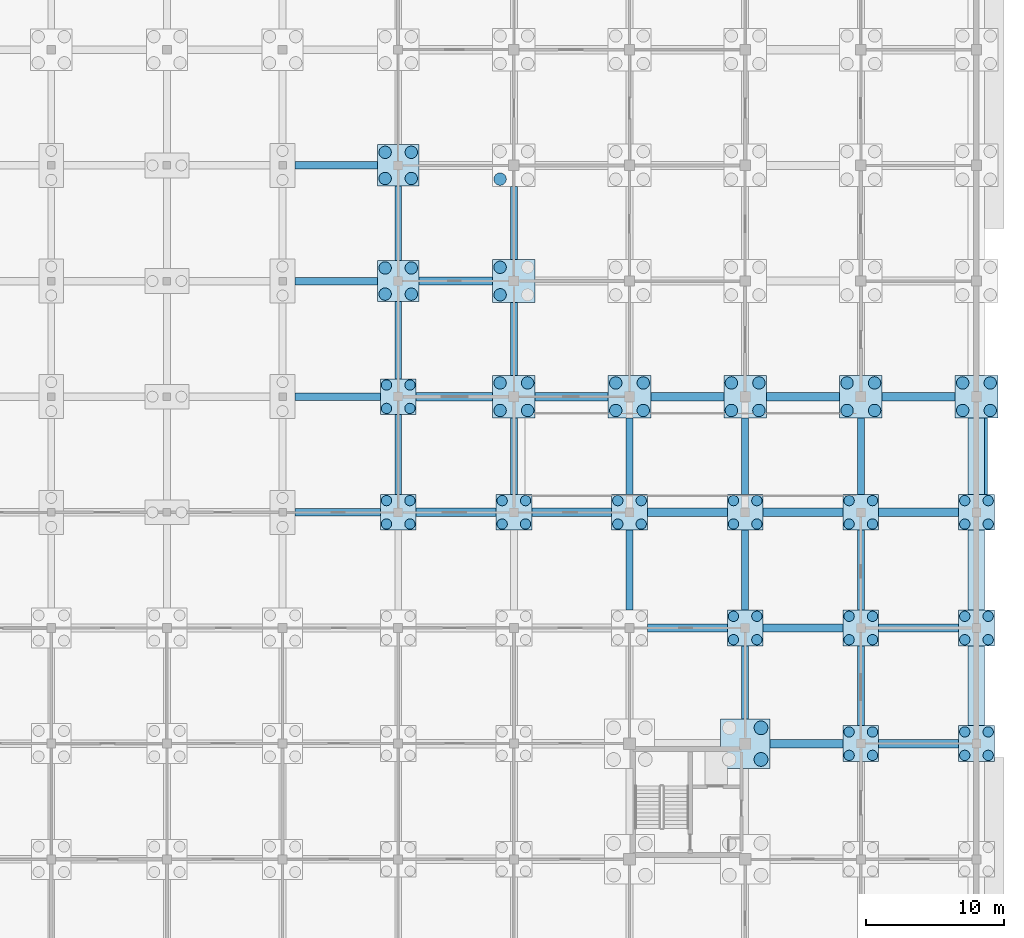
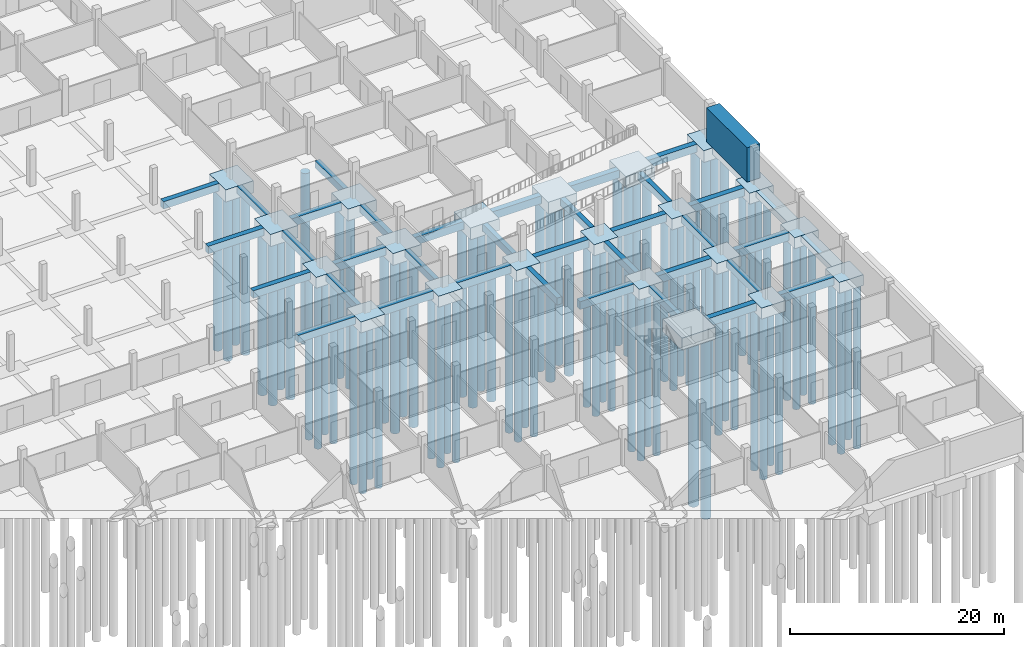
# One storey, part 13 of 43: 81 piles, 59 footings.
"""IFC4 building model written with IfcOpenShell, lengths in metres."""

from ifc_helpers import new_model, si_unit, direction, frame, origin, origin_2d, place, context, subcontext, project, spatial, rectangle, circle, extrude, material, material_profile, profile_set, type_object, element, save


model = new_model("IFC4")

# Units and contexts
model_context = context("Model", 3, precision=1e-05, world=origin(), true_north=direction((0.0, 1.0)))
body_context = subcontext(model_context, "Body", "Model", "MODEL_VIEW")
ifc_project = project(units=[si_unit("LENGTHUNIT", "METRE"), si_unit("AREAUNIT", "SQUARE_METRE"), si_unit("VOLUMEUNIT", "CUBIC_METRE"), si_unit("PLANEANGLEUNIT", "RADIAN"), si_unit("MASSUNIT", "GRAM", prefix="KILO")], contexts=[model_context])

# Site, building, storey
site_placement = place(None, origin())
site = spatial("IfcSite", under=ifc_project, at=site_placement, CompositionType="ELEMENT")
building_placement = place(site_placement, origin())
building = spatial("IfcBuilding", under=site, at=building_placement, Name="Varnapada Polytechnic", CompositionType="ELEMENT")
storey_placement = place(building_placement, frame((0.0, 0.0, -4.199951171875)))
storey = spatial("IfcBuildingStorey", under=building, at=storey_placement, Name="B1", CompositionType="ELEMENT", Elevation=-4.199951171875)

# Piles
ifc_material = material(Name="Concrete C40/50", Category="concrete")
ifc_material_profile_1 = material_profile(ifc_material, circle(Radius=0.5, at=origin_2d()), Name="BP 1000")
ifc_profile_set_1 = profile_set([ifc_material_profile_1], Name="Concrete C40/50")
pile_type_1 = type_object("IfcPileType", Name="Bored Pile BP 1000", PredefinedType="BORED", material=ifc_profile_set_1)
for number, where, z_axis, x_axis, name in (
    (1, (160.75, 32.449951171875, -1.300048828125), (0.0, 0.0, -1.0), (1.0, 0.0, 0.0), "Bored pile P-01 under CAP-19-04 (2)"),
    (2, (160.75, 34.75, -1.300048828125), (0.0, 0.0, -1.0), (1.0, 0.0, 0.0), "Bored pile P-01 under CAP-19-04 (4)"),
):
    element("IfcPile", number, at=place(storey_placement, frame(where, z_axis=z_axis, x_axis=x_axis)), inside=storey, type_object=pile_type_1, Name=name, PredefinedType="BORED", context=body_context, shape_type="SweptSolid", body=[
        extrude(circle(Radius=0.5, at=origin_2d()), origin(), (0.0, 0.0, 1.0), 20.5),
    ])
ifc_material_profile_2 = material_profile(ifc_material, circle(Radius=0.375, at=origin_2d()), Name="BP 750")
ifc_profile_set_2 = profile_set([ifc_material_profile_2], Name="Concrete C40/50")
pile_type_2 = type_object("IfcPileType", Name="Bored Pile BP 750", PredefinedType="BORED", material=ifc_profile_set_2)
for number, where, z_axis, x_axis, name in (
    (3, (133.550048828125, 49.550048828125, -1.150146484375), (0.0, 0.0, -1.0), (1.0, 0.0, 0.0), "Bored pile P-05 under CAP-16-06 (1)"),
    (4, (135.25, 49.550048828125, -1.150146484375), (0.0, 0.0, -1.0), (1.0, 0.0, 0.0), "Bored pile P-05 under CAP-16-06 (2)"),
    (5, (133.550048828125, 51.25, -1.150146484375), (0.0, 0.0, -1.0), (1.0, 0.0, 0.0), "Bored pile P-05 under CAP-16-06 (3)"),
    (6, (135.25, 51.25, -1.150146484375), (0.0, 0.0, -1.0), (1.0, 0.0, 0.0), "Bored pile P-05 under CAP-16-06 (4)"),
    (7, (133.550048828125, 57.949951171875, -1.150146484375), (0.0, 0.0, -1.0), (1.0, 0.0, 0.0), "Bored pile P-05 under CAP-16-07 (1)"),
    (8, (135.25, 57.949951171875, -1.150146484375), (0.0, 0.0, -1.0), (1.0, 0.0, 0.0), "Bored pile P-05 under CAP-16-07 (2)"),
    (9, (133.550048828125, 59.64990234375, -1.150146484375), (0.0, 0.0, -1.0), (1.0, 0.0, 0.0), "Bored pile P-05 under CAP-16-07 (3)"),
    (10, (135.25, 59.64990234375, -1.150146484375), (0.0, 0.0, -1.0), (1.0, 0.0, 0.0), "Bored pile P-05 under CAP-16-07 (4)"),
    (11, (141.949951171875, 49.550048828125, -1.150146484375), (0.0, 0.0, -1.0), (1.0, 0.0, 0.0), "Bored pile P-05 under CAP-17-06 (1)"),
    (12, (143.64990234375, 49.550048828125, -1.150146484375), (0.0, 0.0, -1.0), (1.0, 0.0, 0.0), "Bored pile P-05 under CAP-17-06 (2)"),
    (13, (141.949951171875, 51.25, -1.150146484375), (0.0, 0.0, -1.0), (1.0, 0.0, 0.0), "Bored pile P-05 under CAP-17-06 (3)"),
    (14, (143.64990234375, 51.25, -1.150146484375), (0.0, 0.0, -1.0), (1.0, 0.0, 0.0), "Bored pile P-05 under CAP-17-06 (4)"),
    (15, (150.35009765625, 49.550048828125, -1.150146484375), (0.0, 0.0, -1.0), (1.0, 0.0, 0.0), "Bored pile P-05 under CAP-18-06 (1)"),
    (16, (152.050048828125, 49.550048828125, -1.150146484375), (0.0, 0.0, -1.0), (1.0, 0.0, 0.0), "Bored pile P-05 under CAP-18-06 (2)"),
    (17, (150.35009765625, 51.25, -1.150146484375), (0.0, 0.0, -1.0), (1.0, 0.0, 0.0), "Bored pile P-05 under CAP-18-06 (3)"),
    (18, (152.050048828125, 51.25, -1.150146484375), (0.0, 0.0, -1.0), (1.0, 0.0, 0.0), "Bored pile P-05 under CAP-18-06 (4)"),
    (19, (158.75, 41.14990234375, -1.150146484375), (0.0, 0.0, -1.0), (1.0, 0.0, 0.0), "Bored pile P-05 under CAP-19-05 (1)"),
    (20, (160.449951171875, 41.14990234375, -1.150146484375), (0.0, 0.0, -1.0), (1.0, 0.0, 0.0), "Bored pile P-05 under CAP-19-05 (2)"),
    (21, (158.75, 42.85009765625, -1.150146484375), (0.0, 0.0, -1.0), (1.0, 0.0, 0.0), "Bored pile P-05 under CAP-19-05 (3)"),
    (22, (160.449951171875, 42.85009765625, -1.150146484375), (0.0, 0.0, -1.0), (1.0, 0.0, 0.0), "Bored pile P-05 under CAP-19-05 (4)"),
    (23, (158.75, 49.550048828125, -1.150146484375), (0.0, 0.0, -1.0), (1.0, 0.0, 0.0), "Bored pile P-05 under CAP-19-06 (1)"),
    (24, (160.449951171875, 49.550048828125, -1.150146484375), (0.0, 0.0, -1.0), (1.0, 0.0, 0.0), "Bored pile P-05 under CAP-19-06 (2)"),
    (25, (158.75, 51.25, -1.150146484375), (0.0, 0.0, -1.0), (1.0, 0.0, 0.0), "Bored pile P-05 under CAP-19-06 (3)"),
    (26, (160.449951171875, 51.25, -1.150146484375), (0.0, 0.0, -1.0), (1.0, 0.0, 0.0), "Bored pile P-05 under CAP-19-06 (4)"),
    (27, (167.14990234375, 32.75, -1.150146484375), (0.0, 0.0, -1.0), (1.0, 0.0, 0.0), "Bored pile P-05 under CAP-20-04 (1)"),
    (28, (168.85009765625, 32.75, -1.150146484375), (0.0, 0.0, -1.0), (1.0, 0.0, 0.0), "Bored pile P-05 under CAP-20-04 (2)"),
    (29, (167.14990234375, 34.449951171875, -1.150146484375), (0.0, 0.0, -1.0), (1.0, 0.0, 0.0), "Bored pile P-05 under CAP-20-04 (3)"),
    (30, (168.85009765625, 34.449951171875, -1.150146484375), (0.0, 0.0, -1.0), (1.0, 0.0, 0.0), "Bored pile P-05 under CAP-20-04 (4)"),
    (31, (167.14990234375, 41.14990234375, -1.150146484375), (0.0, 0.0, -1.0), (1.0, 0.0, 0.0), "Bored pile P-05 under CAP-20-05 (1)"),
    (32, (168.85009765625, 41.14990234375, -1.150146484375), (0.0, 0.0, -1.0), (1.0, 0.0, 0.0), "Bored pile P-05 under CAP-20-05 (2)"),
    (33, (167.14990234375, 42.85009765625, -1.150146484375), (0.0, 0.0, -1.0), (1.0, 0.0, 0.0), "Bored pile P-05 under CAP-20-05 (3)"),
    (34, (168.85009765625, 42.85009765625, -1.150146484375), (0.0, 0.0, -1.0), (1.0, 0.0, 0.0), "Bored pile P-05 under CAP-20-05 (4)"),
    (35, (167.14990234375, 49.550048828125, -1.150146484375), (0.0, 0.0, -1.0), (1.0, 0.0, 0.0), "Bored pile P-05 under CAP-20-06 (1)"),
    (36, (168.85009765625, 49.550048828125, -1.150146484375), (0.0, 0.0, -1.0), (1.0, 0.0, 0.0), "Bored pile P-05 under CAP-20-06 (2)"),
    (37, (167.14990234375, 51.25, -1.150146484375), (0.0, 0.0, -1.0), (1.0, 0.0, 0.0), "Bored pile P-05 under CAP-20-06 (3)"),
    (38, (168.85009765625, 51.25, -1.150146484375), (0.0, 0.0, -1.0), (1.0, 0.0, 0.0), "Bored pile P-05 under CAP-20-06 (4)"),
    (39, (175.550048828125, 32.75, -1.150146484375), (0.0, 0.0, -1.0), (1.0, 0.0, 0.0), "Bored pile P-05 under CAP-21-04 (1)"),
    (40, (177.25, 32.75, -1.150146484375), (0.0, 0.0, -1.0), (1.0, 0.0, 0.0), "Bored pile P-05 under CAP-21-04 (2)"),
    (41, (175.550048828125, 34.449951171875, -1.150146484375), (0.0, 0.0, -1.0), (1.0, 0.0, 0.0), "Bored pile P-05 under CAP-21-04 (3)"),
    (42, (177.25, 34.449951171875, -1.150146484375), (0.0, 0.0, -1.0), (1.0, 0.0, 0.0), "Bored pile P-05 under CAP-21-04 (4)"),
    (43, (175.550048828125, 41.14990234375, -1.150146484375), (0.0, 0.0, -1.0), (1.0, 0.0, 0.0), "Bored pile P-05 under CAP-21-05 (1)"),
    (44, (177.25, 41.14990234375, -1.150146484375), (0.0, 0.0, -1.0), (1.0, 0.0, 0.0), "Bored pile P-05 under CAP-21-05 (2)"),
    (45, (175.550048828125, 42.85009765625, -1.150146484375), (0.0, 0.0, -1.0), (1.0, 0.0, 0.0), "Bored pile P-05 under CAP-21-05 (3)"),
    (46, (177.25, 42.85009765625, -1.150146484375), (0.0, 0.0, -1.0), (1.0, 0.0, 0.0), "Bored pile P-05 under CAP-21-05 (4)"),
    (47, (175.550048828125, 49.550048828125, -1.150146484375), (0.0, 0.0, -1.0), (1.0, 0.0, 0.0), "Bored pile P-05 under CAP-21-06 (1)"),
    (48, (177.25, 49.550048828125, -1.150146484375), (0.0, 0.0, -1.0), (1.0, 0.0, 0.0), "Bored pile P-05 under CAP-21-06 (2)"),
    (49, (175.550048828125, 51.25, -1.150146484375), (0.0, 0.0, -1.0), (1.0, 0.0, 0.0), "Bored pile P-05 under CAP-21-06 (3)"),
    (50, (177.25, 51.25, -1.150146484375), (0.0, 0.0, -1.0), (1.0, 0.0, 0.0), "Bored pile P-05 under CAP-21-06 (4)"),
):
    element("IfcPile", number, at=place(storey_placement, frame(where, z_axis=z_axis, x_axis=x_axis)), inside=storey, type_object=pile_type_2, Name=name, PredefinedType="BORED", context=body_context, shape_type="SweptSolid", body=[
        extrude(circle(Radius=0.375, at=origin_2d()), origin(), (0.0, 0.0, 1.0), 18.64990234375),
    ])
ifc_material_profile_3 = material_profile(ifc_material, circle(Radius=0.449951171875, at=origin_2d()), Name="BP 900")
ifc_profile_set_3 = profile_set([ifc_material_profile_3], Name="Concrete C40/50")
pile_type_3 = type_object("IfcPileType", Name="Bored Pile BP 900", PredefinedType="BORED", material=ifc_profile_set_3)
for number, where, z_axis, x_axis, name in (
    (51, (133.449951171875, 66.25, -1.300048828125), (0.0, 0.0, -1.0), (1.0, 0.0, 0.0), "Bored pile P-02 under CAP-16-08 (1)"),
    (52, (135.35009765625, 66.25, -1.300048828125), (0.0, 0.0, -1.0), (1.0, 0.0, 0.0), "Bored pile P-02 under CAP-16-08 (2)"),
    (53, (133.449951171875, 68.14990234375, -1.300048828125), (0.0, 0.0, -1.0), (1.0, 0.0, 0.0), "Bored pile P-02 under CAP-16-08 (3)"),
    (54, (135.35009765625, 68.14990234375, -1.300048828125), (0.0, 0.0, -1.0), (1.0, 0.0, 0.0), "Bored pile P-02 under CAP-16-08 (4)"),
    (55, (133.449951171875, 74.64990234375, -1.300048828125), (0.0, 0.0, -1.0), (1.0, 0.0, 0.0), "Bored pile P-02 under CAP-16-09 (1)"),
    (56, (135.35009765625, 74.64990234375, -1.300048828125), (0.0, 0.0, -1.0), (1.0, 0.0, 0.0), "Bored pile P-02 under CAP-16-09 (2)"),
    (57, (133.449951171875, 76.550048828125, -1.300048828125), (0.0, 0.0, -1.0), (1.0, 0.0, 0.0), "Bored pile P-02 under CAP-16-09 (3)"),
    (58, (135.35009765625, 76.550048828125, -1.300048828125), (0.0, 0.0, -1.0), (1.0, 0.0, 0.0), "Bored pile P-02 under CAP-16-09 (4)"),
):
    element("IfcPile", number, at=place(storey_placement, frame(where, z_axis=z_axis, x_axis=x_axis)), inside=storey, type_object=pile_type_3, Name=name, PredefinedType="BORED", context=body_context, shape_type="SweptSolid", body=[
        extrude(circle(Radius=0.449951171875, at=origin_2d()), origin(), (0.0, 0.0, 1.0), 18.5),
    ])
for number, where, z_axis, x_axis, name in (
    (59, (141.800048828125, 57.800048828125, -1.25), (0.0, 0.0, -1.0), (1.0, 0.0, 0.0), "Bored pile P-02 under CAP-17-07 (1)"),
    (60, (143.800048828125, 57.800048828125, -1.25), (0.0, 0.0, -1.0), (1.0, 0.0, 0.0), "Bored pile P-02 under CAP-17-07 (2)"),
    (61, (141.800048828125, 59.800048828125, -1.25), (0.0, 0.0, -1.0), (1.0, 0.0, 0.0), "Bored pile P-02 under CAP-17-07 (3)"),
    (62, (143.800048828125, 59.800048828125, -1.25), (0.0, 0.0, -1.0), (1.0, 0.0, 0.0), "Bored pile P-02 under CAP-17-07 (4)"),
    (63, (141.800048828125, 66.199951171875, -1.25), (0.0, 0.0, -1.0), (1.0, 0.0, 0.0), "Bored pile P-02 under CAP-17-08 (1)"),
    (64, (141.800048828125, 68.199951171875, -1.25), (0.0, 0.0, -1.0), (1.0, 0.0, 0.0), "Bored pile P-02 under CAP-17-08 (3)"),
    (65, (141.800048828125, 74.60009765625, -1.25), (0.0, 0.0, -1.0), (1.0, 0.0, 0.0), "Bored pile P-02 under CAP-17-09 (1)"),
    (66, (150.199951171875, 57.800048828125, -1.25), (0.0, 0.0, -1.0), (1.0, 0.0, 0.0), "Bored pile P-02 under CAP-18-07 (1)"),
    (67, (152.199951171875, 57.800048828125, -1.25), (0.0, 0.0, -1.0), (1.0, 0.0, 0.0), "Bored pile P-02 under CAP-18-07 (2)"),
    (68, (150.199951171875, 59.800048828125, -1.25), (0.0, 0.0, -1.0), (1.0, 0.0, 0.0), "Bored pile P-02 under CAP-18-07 (3)"),
    (69, (152.199951171875, 59.800048828125, -1.25), (0.0, 0.0, -1.0), (1.0, 0.0, 0.0), "Bored pile P-02 under CAP-18-07 (4)"),
    (70, (158.60009765625, 57.800048828125, -1.25), (0.0, 0.0, -1.0), (1.0, 0.0, 0.0), "Bored pile P-02 under CAP-19-07 (1)"),
    (71, (160.60009765625, 57.800048828125, -1.25), (0.0, 0.0, -1.0), (1.0, 0.0, 0.0), "Bored pile P-02 under CAP-19-07 (2)"),
    (72, (158.60009765625, 59.800048828125, -1.25), (0.0, 0.0, -1.0), (1.0, 0.0, 0.0), "Bored pile P-02 under CAP-19-07 (3)"),
    (73, (160.60009765625, 59.800048828125, -1.25), (0.0, 0.0, -1.0), (1.0, 0.0, 0.0), "Bored pile P-02 under CAP-19-07 (4)"),
    (74, (167.0, 57.800048828125, -1.25), (0.0, 0.0, -1.0), (1.0, 0.0, 0.0), "Bored pile P-02 under CAP-20-07 (1)"),
    (75, (169.0, 57.800048828125, -1.25), (0.0, 0.0, -1.0), (1.0, 0.0, 0.0), "Bored pile P-02 under CAP-20-07 (2)"),
    (76, (167.0, 59.800048828125, -1.25), (0.0, 0.0, -1.0), (1.0, 0.0, 0.0), "Bored pile P-02 under CAP-20-07 (3)"),
    (77, (169.0, 59.800048828125, -1.25), (0.0, 0.0, -1.0), (1.0, 0.0, 0.0), "Bored pile P-02 under CAP-20-07 (4)"),
    (78, (175.39990234375, 57.800048828125, -1.25), (0.0, 0.0, -1.0), (1.0, 0.0, 0.0), "Bored pile P-02 under CAP-21-07 (1)"),
    (79, (177.39990234375, 57.800048828125, -1.25), (0.0, 0.0, -1.0), (1.0, 0.0, 0.0), "Bored pile P-02 under CAP-21-07 (2)"),
    (80, (175.39990234375, 59.800048828125, -1.25), (0.0, 0.0, -1.0), (1.0, 0.0, 0.0), "Bored pile P-02 under CAP-21-07 (3)"),
    (81, (177.39990234375, 59.800048828125, -1.25), (0.0, 0.0, -1.0), (1.0, 0.0, 0.0), "Bored pile P-02 under CAP-21-07 (4)"),
):
    element("IfcPile", number, at=place(storey_placement, frame(where, z_axis=z_axis, x_axis=x_axis)), inside=storey, type_object=pile_type_3, Name=name, PredefinedType="BORED", context=body_context, shape_type="SweptSolid", body=[
        extrude(circle(Radius=0.449951171875, at=origin_2d()), origin(), (0.0, 0.0, 1.0), 19.550048828125),
    ])

# Footings
footing_type_1 = type_object("IfcFootingType", Name="Footing GB-01", PredefinedType="FOOTING_BEAM", material=ifc_material)
footing_1_placement = place(storey_placement, frame((138.60009765625, 50.39990234375, -0.89990234375), z_axis=(0.0, 0.0, 1.0), x_axis=(1.0, 0.0, 0.0)))
element("IfcFooting", 82, at=footing_1_placement, inside=storey, type_object=footing_type_1, Name="Ground footing beam GB-01 X 17-18", PredefinedType="FOOTING_BEAM", context=body_context, shape_type="SweptSolid", body=[
    extrude(rectangle(XDim=5.800048828125, YDim=0.60009765625, at=origin_2d()), origin(), (0.0, 0.0, 1.0), 0.89990234375),
])
footing_2_placement = place(storey_placement, frame((138.47509765625, 58.800048828125, -0.89990234375), z_axis=(0.0, 0.0, 1.0), x_axis=(1.0, 0.0, 0.0)))
element("IfcFooting", 83, at=footing_2_placement, inside=storey, type_object=footing_type_1, Name="Ground footing beam GB-01 X 17-18", PredefinedType="FOOTING_BEAM", context=body_context, shape_type="SweptSolid", body=[
    extrude(rectangle(XDim=5.550048828125, YDim=0.60009765625, at=origin_2d()), origin(), (0.0, 0.0, 1.0), 0.89990234375),
])
footing_3_placement = place(storey_placement, frame((138.574951171875, 67.199951171875, -0.89990234375), z_axis=(0.0, 0.0, 1.0), x_axis=(1.0, 0.0, 0.0)))
element("IfcFooting", 84, at=footing_3_placement, inside=storey, type_object=footing_type_1, Name="Ground footing beam GB-01 X 17-18", PredefinedType="FOOTING_BEAM", context=body_context, shape_type="SweptSolid", body=[
    extrude(rectangle(XDim=5.35009765625, YDim=0.60009765625, at=origin_2d()), origin(), (0.0, 0.0, 1.0), 0.89990234375),
])
footing_4_placement = place(storey_placement, frame((147.0, 50.39990234375, -0.89990234375), z_axis=(0.0, 0.0, 1.0), x_axis=(1.0, 0.0, 0.0)))
element("IfcFooting", 85, at=footing_4_placement, inside=storey, type_object=footing_type_1, Name="Ground footing beam GB-01 X 18-19", PredefinedType="FOOTING_BEAM", context=body_context, shape_type="SweptSolid", body=[
    extrude(rectangle(XDim=5.800048828125, YDim=0.60009765625, at=origin_2d()), origin(), (0.0, 0.0, 1.0), 0.89990234375),
])
footing_5_placement = place(storey_placement, frame((147.0, 58.800048828125, -0.89990234375), z_axis=(0.0, 0.0, 1.0), x_axis=(1.0, 0.0, 0.0)))
element("IfcFooting", 86, at=footing_5_placement, inside=storey, type_object=footing_type_1, Name="Ground footing beam GB-01 X 18-19", PredefinedType="FOOTING_BEAM", context=body_context, shape_type="SweptSolid", body=[
    extrude(rectangle(XDim=5.300048828125, YDim=0.60009765625, at=origin_2d()), origin(), (0.0, 0.0, 1.0), 0.89990234375),
])
for number, where, z_axis, x_axis, name in (
    (87, (155.39990234375, 42.0, -0.89990234375), (0.0, 0.0, 1.0), (1.0, 0.0, 0.0), "Ground footing beam GB-01 X 19-20"),
    (88, (155.39990234375, 50.39990234375, -0.89990234375), (0.0, 0.0, 1.0), (1.0, 0.0, 0.0), "Ground footing beam GB-01 X 19-20"),
):
    element("IfcFooting", number, at=place(storey_placement, frame(where, z_axis=z_axis, x_axis=x_axis)), inside=storey, type_object=footing_type_1, Name=name, PredefinedType="FOOTING_BEAM", context=body_context, shape_type="SweptSolid", body=[
        extrude(rectangle(XDim=5.800048828125, YDim=0.60009765625, at=origin_2d()), origin(), (0.0, 0.0, 1.0), 0.89990234375),
    ])
for number, where, z_axis, x_axis, name in (
    (89, (155.39990234375, 58.800048828125, -0.89990234375), (0.0, 0.0, 1.0), (1.0, 0.0, 0.0), "Ground footing beam GB-01 X 19-20"),
    (90, (164.050048828125, 33.60009765625, -0.89990234375), (0.0, 0.0, 1.0), (1.0, 0.0, 0.0), "Ground footing beam GB-01 X 20-21"),
):
    element("IfcFooting", number, at=place(storey_placement, frame(where, z_axis=z_axis, x_axis=x_axis)), inside=storey, type_object=footing_type_1, Name=name, PredefinedType="FOOTING_BEAM", context=body_context, shape_type="SweptSolid", body=[
        extrude(rectangle(XDim=5.300048828125, YDim=0.60009765625, at=origin_2d()), origin(), (0.0, 0.0, 1.0), 0.89990234375),
    ])
for number, where, z_axis, x_axis, name in (
    (91, (163.800048828125, 42.0, -0.89990234375), (0.0, 0.0, 1.0), (1.0, 0.0, 0.0), "Ground footing beam GB-01 X 20-21"),
    (92, (163.800048828125, 50.39990234375, -0.89990234375), (0.0, 0.0, 1.0), (1.0, 0.0, 0.0), "Ground footing beam GB-01 X 20-21"),
):
    element("IfcFooting", number, at=place(storey_placement, frame(where, z_axis=z_axis, x_axis=x_axis)), inside=storey, type_object=footing_type_1, Name=name, PredefinedType="FOOTING_BEAM", context=body_context, shape_type="SweptSolid", body=[
        extrude(rectangle(XDim=5.800048828125, YDim=0.60009765625, at=origin_2d()), origin(), (0.0, 0.0, 1.0), 0.89990234375),
    ])
footing_6_placement = place(storey_placement, frame((163.800048828125, 58.800048828125, -0.89990234375), z_axis=(0.0, 0.0, 1.0), x_axis=(1.0, 0.0, 0.0)))
element("IfcFooting", 93, at=footing_6_placement, inside=storey, type_object=footing_type_1, Name="Ground footing beam GB-01 X 20-21", PredefinedType="FOOTING_BEAM", context=body_context, shape_type="SweptSolid", body=[
    extrude(rectangle(XDim=5.300048828125, YDim=0.60009765625, at=origin_2d()), origin(), (0.0, 0.0, 1.0), 0.89990234375),
])
for number, where, z_axis, x_axis, name in (
    (94, (172.199951171875, 33.60009765625, -0.89990234375), (0.0, 0.0, 1.0), (1.0, 0.0, 0.0), "Ground footing beam GB-01 X 21-22"),
    (95, (172.199951171875, 42.0, -0.89990234375), (0.0, 0.0, 1.0), (1.0, 0.0, 0.0), "Ground footing beam GB-01 X 21-22"),
    (96, (172.199951171875, 50.39990234375, -0.89990234375), (0.0, 0.0, 1.0), (1.0, 0.0, 0.0), "Ground footing beam GB-01 X 21-22"),
):
    element("IfcFooting", number, at=place(storey_placement, frame(where, z_axis=z_axis, x_axis=x_axis)), inside=storey, type_object=footing_type_1, Name=name, PredefinedType="FOOTING_BEAM", context=body_context, shape_type="SweptSolid", body=[
        extrude(rectangle(XDim=5.800048828125, YDim=0.60009765625, at=origin_2d()), origin(), (0.0, 0.0, 1.0), 0.89990234375),
    ])
footing_7_placement = place(storey_placement, frame((172.199951171875, 58.800048828125, -0.89990234375), z_axis=(0.0, 0.0, 1.0), x_axis=(1.0, 0.0, 0.0)))
element("IfcFooting", 97, at=footing_7_placement, inside=storey, type_object=footing_type_1, Name="Ground footing beam GB-01 X 21-22", PredefinedType="FOOTING_BEAM", context=body_context, shape_type="SweptSolid", body=[
    extrude(rectangle(XDim=5.300048828125, YDim=0.60009765625, at=origin_2d()), origin(), (0.0, 0.0, 1.0), 0.89990234375),
])
footing_type_2 = type_object("IfcFootingType", Name="Footing GB-02", PredefinedType="FOOTING_BEAM", material=ifc_material)
footing_8_placement = place(storey_placement, frame((134.39990234375, 54.60009765625, -0.80029296875), z_axis=(0.0, 0.0, 1.0), x_axis=(0.0, 1.0, 0.0)))
element("IfcFooting", 98, at=footing_8_placement, inside=storey, type_object=footing_type_2, Name="Ground footing beam GB-02 Y 7-8", PredefinedType="FOOTING_BEAM", context=body_context, shape_type="SweptSolid", body=[
    extrude(rectangle(XDim=5.800048828125, YDim=0.5, at=origin_2d()), origin(), (0.0, 0.0, 1.0), 0.800048828125),
])
footing_9_placement = place(storey_placement, frame((134.39990234375, 62.89990234375, -0.80029296875), z_axis=(0.0, 0.0, 1.0), x_axis=(0.0, 1.0, 0.0)))
element("IfcFooting", 99, at=footing_9_placement, inside=storey, type_object=footing_type_2, Name="Ground footing beam GB-02 Y 8-9", PredefinedType="FOOTING_BEAM", context=body_context, shape_type="SweptSolid", body=[
    extrude(rectangle(XDim=5.60009765625, YDim=0.5, at=origin_2d()), origin(), (0.0, 0.0, 1.0), 0.800048828125),
])
footing_10_placement = place(storey_placement, frame((134.39990234375, 71.39990234375, -0.80029296875), z_axis=(0.0, 0.0, 1.0), x_axis=(0.0, 1.0, 0.0)))
element("IfcFooting", 100, at=footing_10_placement, inside=storey, type_object=footing_type_2, Name="Ground footing beam GB-02 Y 9-10", PredefinedType="FOOTING_BEAM", context=body_context, shape_type="SweptSolid", body=[
    extrude(rectangle(XDim=5.39990234375, YDim=0.5, at=origin_2d()), origin(), (0.0, 0.0, 1.0), 0.800048828125),
])
footing_11_placement = place(storey_placement, frame((142.800048828125, 54.47509765625, -0.80029296875), z_axis=(0.0, 0.0, 1.0), x_axis=(0.0, 1.0, 0.0)))
element("IfcFooting", 101, at=footing_11_placement, inside=storey, type_object=footing_type_2, Name="Ground footing beam GB-02 Y 7-8", PredefinedType="FOOTING_BEAM", context=body_context, shape_type="SweptSolid", body=[
    extrude(rectangle(XDim=5.550048828125, YDim=0.5, at=origin_2d()), origin(), (0.0, 0.0, 1.0), 0.800048828125),
])
for number, where, z_axis, x_axis, name in (
    (102, (142.800048828125, 63.0, -0.80029296875), (0.0, 0.0, 1.0), (0.0, 1.0, 0.0), "Ground footing beam GB-02 Y 8-9"),
    (103, (142.800048828125, 71.39990234375, -0.80029296875), (0.0, 0.0, 1.0), (0.0, 1.0, 0.0), "Ground footing beam GB-02 Y 9-10"),
):
    element("IfcFooting", number, at=place(storey_placement, frame(where, z_axis=z_axis, x_axis=x_axis)), inside=storey, type_object=footing_type_2, Name=name, PredefinedType="FOOTING_BEAM", context=body_context, shape_type="SweptSolid", body=[
        extrude(rectangle(XDim=5.300048828125, YDim=0.5, at=origin_2d()), origin(), (0.0, 0.0, 1.0), 0.800048828125),
    ])
footing_12_placement = place(storey_placement, frame((151.199951171875, 46.199951171875, -0.80029296875), z_axis=(0.0, 0.0, 1.0), x_axis=(0.0, 1.0, 0.0)))
element("IfcFooting", 104, at=footing_12_placement, inside=storey, type_object=footing_type_2, Name="Ground footing beam GB-02 Y 6-7", PredefinedType="FOOTING_BEAM", context=body_context, shape_type="SweptSolid", body=[
    extrude(rectangle(XDim=5.800048828125, YDim=0.5, at=origin_2d()), origin(), (0.0, 0.0, 1.0), 0.800048828125),
])
footing_13_placement = place(storey_placement, frame((151.199951171875, 54.47509765625, -0.80029296875), z_axis=(0.0, 0.0, 1.0), x_axis=(0.0, 1.0, 0.0)))
element("IfcFooting", 105, at=footing_13_placement, inside=storey, type_object=footing_type_2, Name="Ground footing beam GB-02 Y 7-8", PredefinedType="FOOTING_BEAM", context=body_context, shape_type="SweptSolid", body=[
    extrude(rectangle(XDim=5.550048828125, YDim=0.5, at=origin_2d()), origin(), (0.0, 0.0, 1.0), 0.800048828125),
])
footing_14_placement = place(storey_placement, frame((159.60009765625, 38.050048828125, -0.80029296875), z_axis=(0.0, 0.0, 1.0), x_axis=(0.0, 1.0, 0.0)))
element("IfcFooting", 106, at=footing_14_placement, inside=storey, type_object=footing_type_2, Name="Ground footing beam GB-02 Y 5-6", PredefinedType="FOOTING_BEAM", context=body_context, shape_type="SweptSolid", body=[
    extrude(rectangle(XDim=5.300048828125, YDim=0.5, at=origin_2d()), origin(), (0.0, 0.0, 1.0), 0.800048828125),
])
footing_15_placement = place(storey_placement, frame((159.60009765625, 46.199951171875, -0.80029296875), z_axis=(0.0, 0.0, 1.0), x_axis=(0.0, 1.0, 0.0)))
element("IfcFooting", 107, at=footing_15_placement, inside=storey, type_object=footing_type_2, Name="Ground footing beam GB-02 Y 6-7", PredefinedType="FOOTING_BEAM", context=body_context, shape_type="SweptSolid", body=[
    extrude(rectangle(XDim=5.800048828125, YDim=0.5, at=origin_2d()), origin(), (0.0, 0.0, 1.0), 0.800048828125),
])
footing_16_placement = place(storey_placement, frame((159.60009765625, 54.47509765625, -0.80029296875), z_axis=(0.0, 0.0, 1.0), x_axis=(0.0, 1.0, 0.0)))
element("IfcFooting", 108, at=footing_16_placement, inside=storey, type_object=footing_type_2, Name="Ground footing beam GB-02 Y 7-8", PredefinedType="FOOTING_BEAM", context=body_context, shape_type="SweptSolid", body=[
    extrude(rectangle(XDim=5.550048828125, YDim=0.5, at=origin_2d()), origin(), (0.0, 0.0, 1.0), 0.800048828125),
])
for number, where, z_axis, x_axis, name in (
    (109, (168.0, 37.800048828125, -0.80029296875), (0.0, 0.0, 1.0), (0.0, 1.0, 0.0), "Ground footing beam GB-02 Y 5-6"),
    (110, (168.0, 46.199951171875, -0.80029296875), (0.0, 0.0, 1.0), (0.0, 1.0, 0.0), "Ground footing beam GB-02 Y 6-7"),
):
    element("IfcFooting", number, at=place(storey_placement, frame(where, z_axis=z_axis, x_axis=x_axis)), inside=storey, type_object=footing_type_2, Name=name, PredefinedType="FOOTING_BEAM", context=body_context, shape_type="SweptSolid", body=[
        extrude(rectangle(XDim=5.800048828125, YDim=0.5, at=origin_2d()), origin(), (0.0, 0.0, 1.0), 0.800048828125),
    ])
footing_17_placement = place(storey_placement, frame((168.0, 54.47509765625, -0.80029296875), z_axis=(0.0, 0.0, 1.0), x_axis=(0.0, 1.0, 0.0)))
element("IfcFooting", 111, at=footing_17_placement, inside=storey, type_object=footing_type_2, Name="Ground footing beam GB-02 Y 7-8", PredefinedType="FOOTING_BEAM", context=body_context, shape_type="SweptSolid", body=[
    extrude(rectangle(XDim=5.550048828125, YDim=0.5, at=origin_2d()), origin(), (0.0, 0.0, 1.0), 0.800048828125),
])
footing_type_3 = type_object("IfcFootingType", Name="Footing GB-04", PredefinedType="FOOTING_BEAM", material=ifc_material)
for number, where, z_axis, x_axis, name in (
    (112, (130.0, 50.39990234375, -0.85009765625), (0.0, 0.0, 1.0), (1.0, 0.0, 0.0), "Ground footing beam GB-04 X 16-17"),
    (113, (130.0, 58.800048828125, -0.85009765625), (0.0, 0.0, 1.0), (1.0, 0.0, 0.0), "Ground footing beam GB-04 X 16-17"),
):
    element("IfcFooting", number, at=place(storey_placement, frame(where, z_axis=z_axis, x_axis=x_axis)), inside=storey, type_object=footing_type_3, Name=name, PredefinedType="FOOTING_BEAM", context=body_context, shape_type="SweptSolid", body=[
        extrude(rectangle(XDim=6.199951171875, YDim=0.550048828125, at=origin_2d()), origin(), (0.0, 0.0, 1.0), 0.85009765625),
    ])
for number, where, z_axis, x_axis, name in (
    (114, (129.89990234375, 67.199951171875, -0.85009765625), (0.0, 0.0, 1.0), (1.0, 0.0, 0.0), "Ground footing beam GB-04 X 16-17"),
    (115, (129.89990234375, 75.60009765625, -0.85009765625), (0.0, 0.0, 1.0), (1.0, 0.0, 0.0), "Ground footing beam GB-04 X 16-17"),
):
    element("IfcFooting", number, at=place(storey_placement, frame(where, z_axis=z_axis, x_axis=x_axis)), inside=storey, type_object=footing_type_3, Name=name, PredefinedType="FOOTING_BEAM", context=body_context, shape_type="SweptSolid", body=[
        extrude(rectangle(XDim=6.0, YDim=0.550048828125, at=origin_2d()), origin(), (0.0, 0.0, 1.0), 0.85009765625),
    ])
footing_type_4 = type_object("IfcFootingType", Name="Footing PC-01", PredefinedType="PILE_CAP", material=ifc_material)
footing_18_placement = place(storey_placement, frame((159.60009765625, 33.60009765625, -1.39990234375), z_axis=(0.0, 0.0, 1.0), x_axis=(1.0, 0.0, 0.0)))
element("IfcFooting", 116, at=footing_18_placement, inside=storey, type_object=footing_type_4, Name="Pile cap PC-01 at grid 20/5", PredefinedType="PILE_CAP", context=body_context, shape_type="SweptSolid", body=[
    extrude(rectangle(XDim=3.60009765625, YDim=3.60009765625, at=origin_2d()), origin(), (0.0, 0.0, 1.0), 1.39990234375),
])
footing_type_5 = type_object("IfcFootingType", Name="Footing PC-03", PredefinedType="PILE_CAP", material=ifc_material)
for number, where, z_axis, x_axis, name in (
    (117, (134.39990234375, 67.199951171875, -1.39990234375), (0.0, 0.0, 1.0), (1.0, 0.0, 0.0), "Pile cap PC-03 at grid 17/9"),
    (118, (134.39990234375, 75.60009765625, -1.39990234375), (0.0, 0.0, 1.0), (1.0, 0.0, 0.0), "Pile cap PC-03 at grid 17/10"),
):
    element("IfcFooting", number, at=place(storey_placement, frame(where, z_axis=z_axis, x_axis=x_axis)), inside=storey, type_object=footing_type_5, Name=name, PredefinedType="PILE_CAP", context=body_context, shape_type="SweptSolid", body=[
        extrude(rectangle(XDim=3.0, YDim=3.0, at=origin_2d()), origin(), (0.0, 0.0, 1.0), 1.39990234375),
    ])
footing_type_6 = type_object("IfcFootingType", Name="Footing PC-08", PredefinedType="PILE_CAP", material=ifc_material)
for number, where, z_axis, x_axis, name in (
    (119, (142.800048828125, 58.800048828125, -1.35009765625), (0.0, 0.0, 1.0), (1.0, 0.0, 0.0), "Pile cap PC-08 at grid 18/8"),
    (120, (142.800048828125, 67.199951171875, -1.35009765625), (0.0, 0.0, 1.0), (1.0, 0.0, 0.0), "Pile cap PC-08 at grid 18/9"),
    (121, (151.199951171875, 58.800048828125, -1.35009765625), (0.0, 0.0, 1.0), (1.0, 0.0, 0.0), "Pile cap PC-08 at grid 19/8"),
    (122, (159.60009765625, 58.800048828125, -1.35009765625), (0.0, 0.0, 1.0), (1.0, 0.0, 0.0), "Pile cap PC-08 at grid 20/8"),
    (123, (168.0, 58.800048828125, -1.35009765625), (0.0, 0.0, 1.0), (1.0, 0.0, 0.0), "Pile cap PC-08 at grid 21/8"),
    (124, (176.39990234375, 58.800048828125, -1.35009765625), (0.0, 0.0, 1.0), (1.0, 0.0, 0.0), "Pile cap PC-08 at grid 22/8"),
):
    element("IfcFooting", number, at=place(storey_placement, frame(where, z_axis=z_axis, x_axis=x_axis)), inside=storey, type_object=footing_type_6, Name=name, PredefinedType="PILE_CAP", context=body_context, shape_type="SweptSolid", body=[
        extrude(rectangle(XDim=3.10009765625, YDim=3.10009765625, at=origin_2d()), origin(), (0.0, 0.0, 1.0), 1.35009765625),
    ])
footing_type_7 = type_object("IfcFootingType", Name="Footing PC-10", PredefinedType="PILE_CAP", material=ifc_material)
for number, where, z_axis, x_axis, name in (
    (125, (134.39990234375, 50.39990234375, -1.25), (0.0, 0.0, 1.0), (1.0, 0.0, 0.0), "Pile cap PC-10 at grid 17/7"),
    (126, (134.39990234375, 58.800048828125, -1.25), (0.0, 0.0, 1.0), (1.0, 0.0, 0.0), "Pile cap PC-10 at grid 17/8"),
    (127, (142.800048828125, 50.39990234375, -1.25), (0.0, 0.0, 1.0), (1.0, 0.0, 0.0), "Pile cap PC-10 at grid 18/7"),
    (128, (151.199951171875, 50.39990234375, -1.25), (0.0, 0.0, 1.0), (1.0, 0.0, 0.0), "Pile cap PC-10 at grid 19/7"),
    (129, (159.60009765625, 42.0, -1.25), (0.0, 0.0, 1.0), (1.0, 0.0, 0.0), "Pile cap PC-10 at grid 20/6"),
    (130, (159.60009765625, 50.39990234375, -1.25), (0.0, 0.0, 1.0), (1.0, 0.0, 0.0), "Pile cap PC-10 at grid 20/7"),
    (131, (168.0, 33.60009765625, -1.25), (0.0, 0.0, 1.0), (1.0, 0.0, 0.0), "Pile cap PC-10 at grid 21/5"),
    (132, (168.0, 42.0, -1.25), (0.0, 0.0, 1.0), (1.0, 0.0, 0.0), "Pile cap PC-10 at grid 21/6"),
    (133, (168.0, 50.39990234375, -1.25), (0.0, 0.0, 1.0), (1.0, 0.0, 0.0), "Pile cap PC-10 at grid 21/7"),
    (134, (176.39990234375, 33.60009765625, -1.25), (0.0, 0.0, 1.0), (1.0, 0.0, 0.0), "Pile cap PC-10 at grid 22/5"),
    (135, (176.39990234375, 42.0, -1.25), (0.0, 0.0, 1.0), (1.0, 0.0, 0.0), "Pile cap PC-10 at grid 22/6"),
    (136, (176.39990234375, 50.39990234375, -1.25), (0.0, 0.0, 1.0), (1.0, 0.0, 0.0), "Pile cap PC-10 at grid 22/7"),
):
    element("IfcFooting", number, at=place(storey_placement, frame(where, z_axis=z_axis, x_axis=x_axis)), inside=storey, type_object=footing_type_7, Name=name, PredefinedType="PILE_CAP", context=body_context, shape_type="SweptSolid", body=[
        extrude(rectangle(XDim=2.60009765625, YDim=2.60009765625, at=origin_2d()), origin(), (0.0, 0.0, 1.0), 1.25),
    ])
footing_type_8 = type_object("IfcFootingType", Name="Footing SF-01", PredefinedType="STRIP_FOOTING", material=ifc_material)
for number, where, z_axis, x_axis, name in (
    (137, (176.39990234375, 37.800048828125, -0.7001953125), (0.0, 0.0, 1.0), (0.0, 1.0, 0.0), "Ground footing beam SF-01 Y 5-6"),
    (138, (176.39990234375, 46.199951171875, -0.7001953125), (0.0, 0.0, 1.0), (0.0, 1.0, 0.0), "Ground footing beam SF-01 Y 6-7"),
):
    element("IfcFooting", number, at=place(storey_placement, frame(where, z_axis=z_axis, x_axis=x_axis)), inside=storey, type_object=footing_type_8, Name=name, PredefinedType="STRIP_FOOTING", context=body_context, shape_type="SweptSolid", body=[
        extrude(rectangle(XDim=5.800048828125, YDim=1.199951171875, at=origin_2d()), origin(), (0.0, 0.0, 1.0), 0.699951171875),
    ])
footing_19_placement = place(storey_placement, frame((176.39990234375, 54.47509765625, -0.7001953125), z_axis=(0.0, 0.0, 1.0), x_axis=(0.0, 1.0, 0.0)))
element("IfcFooting", 139, at=footing_19_placement, inside=storey, type_object=footing_type_8, Name="Ground footing beam SF-01 Y 7-8", PredefinedType="STRIP_FOOTING", context=body_context, shape_type="SweptSolid", body=[
    extrude(rectangle(XDim=5.550048828125, YDim=1.199951171875, at=origin_2d()), origin(), (0.0, 0.0, 1.0), 0.699951171875),
])
footing_type_9 = type_object("IfcFootingType", Name="Footing SF-04", PredefinedType="STRIP_FOOTING", material=ifc_material)
footing_20_placement = place(storey_placement, frame((176.5, 54.60009765625, 0.0), z_axis=(0.0, 0.0, 1.0), x_axis=(0.0, 1.0, 0.0)))
element("IfcFooting", 140, at=footing_20_placement, inside=storey, type_object=footing_type_9, Name="Ramp VEH continuous stem foundation footing", PredefinedType="STRIP_FOOTING", context=body_context, shape_type="SweptSolid", body=[
    extrude(rectangle(XDim=7.60009765625, YDim=1.39990234375, at=origin_2d()), origin(), (0.0, 0.0, 1.0), 3.919921875),
])

save(model, "model.ifc")
